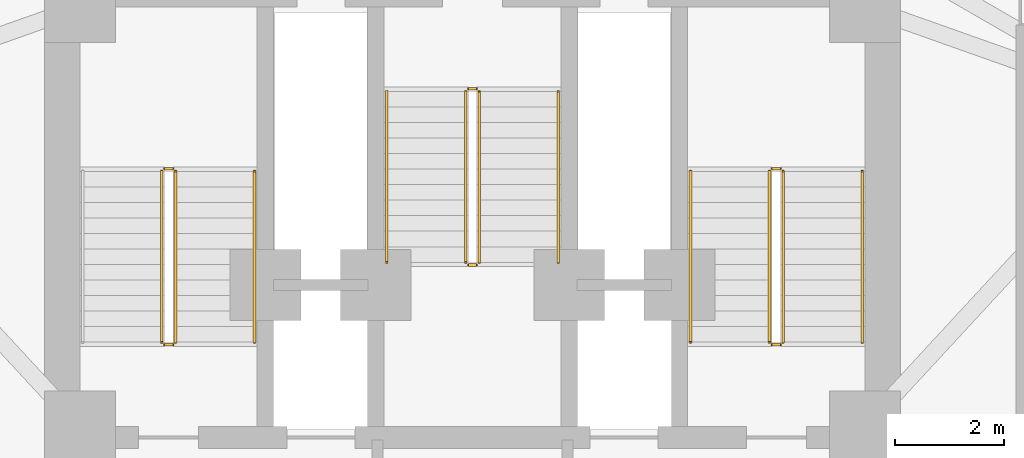
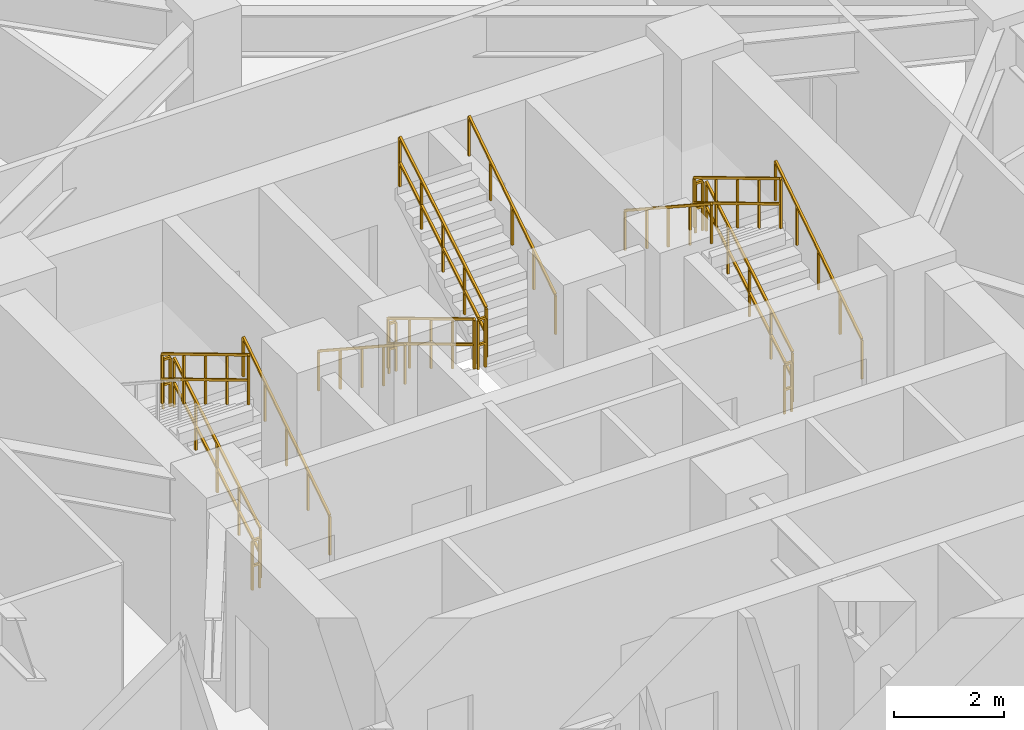
# One storey, part 10 of 11: 17 railings.
"""IFC4 building model written with IfcOpenShell, lengths in metres."""

from ifc_helpers import new_model, si_unit, direction, frame, origin, origin_2d, place, context, subcontext, project, spatial, rectangle, extrude, material, type_object, element, save


model = new_model("IFC4")

# Units and contexts
model_context = context("Model", 3, precision=1e-05, world=origin(), true_north=direction((0.0, 1.0)))
body_context = subcontext(model_context, "Body", "Model", "MODEL_VIEW")
ifc_project = project(units=[si_unit("LENGTHUNIT", "METRE"), si_unit("AREAUNIT", "SQUARE_METRE"), si_unit("VOLUMEUNIT", "CUBIC_METRE"), si_unit("PLANEANGLEUNIT", "RADIAN"), si_unit("MASSUNIT", "GRAM", prefix="KILO")], contexts=[model_context])

# Site, building, storey
site_placement = place(None, origin())
site = spatial("IfcSite", under=ifc_project, at=site_placement, CompositionType="ELEMENT")
building_placement = place(site_placement, origin())
building = spatial("IfcBuilding", under=site, at=building_placement, Name="Apsidion Concourse Tower", CompositionType="ELEMENT")
storey_placement = place(building_placement, frame((0.0, 0.0, 140.39990234375)))
storey = spatial("IfcBuildingStorey", under=building, at=storey_placement, Name="L32", CompositionType="ELEMENT", Elevation=140.39990234375)

# Railings
ifc_material = material(Name="Brushed stainless steel 316", Category="steel")
railing_type_1 = type_object("IfcRailingType", Name="RL-GUARD-1100", PredefinedType="GUARDRAIL", material=ifc_material)
railing_1_placement = place(storey_placement, frame((-5.449951171875, 3.0, 0.1708984375)))
element("IfcRailing", 1, at=railing_1_placement, inside=storey, type_object=railing_type_1, Name="L32 ST1 stair guard 1", PredefinedType="GUARDRAIL", context=body_context, shape_type="SweptSolid", body=[
    extrude(rectangle(XDim=0.048095703125, YDim=0.048095703125, at=origin_2d()), frame((0.0, 0.0, 1.09619140625), z_axis=(0.0, 0.857716804754, 0.514122439544), x_axis=(-1.0, 0.0, 0.0)), (0.0, 0.0, 1.0), 3.655029296875),
    extrude(rectangle(XDim=0.048095703125, YDim=0.048095703125, at=origin_2d()), frame((0.0, 0.0, 0.5361328125), z_axis=(0.0, 0.857716804754, 0.514122439544), x_axis=(-1.0, 0.0, 0.0)), (0.0, 0.0, 1.0), 3.655029296875),
    extrude(rectangle(XDim=0.0419921875, YDim=0.0419921875, at=origin_2d()), origin(), (0.0, 0.0, 1.0), 1.072021484375),
    extrude(rectangle(XDim=0.0419921875, YDim=0.0419921875, at=origin_2d()), frame((0.0, 0.78369140625, 0.4697265625)), (0.0, 0.0, 1.0), 1.072021484375),
    extrude(rectangle(XDim=0.0419921875, YDim=0.0419921875, at=origin_2d()), frame((0.0, 1.5673828125, 0.939453125)), (0.0, 0.0, 1.0), 1.072021484375),
    extrude(rectangle(XDim=0.0419921875, YDim=0.0419921875, at=origin_2d()), frame((0.0, 2.351318359375, 1.409423828125)), (0.0, 0.0, 1.0), 1.072021484375),
    extrude(rectangle(XDim=0.0419921875, YDim=0.0419921875, at=origin_2d()), frame((0.0, 3.135009765625, 1.879150390625)), (0.0, 0.0, 1.0), 1.072021484375),
])
railing_2_placement = place(storey_placement, frame((-5.5, 6.18505859375, 2.050048828125)))
element("IfcRailing", 2, at=railing_2_placement, inside=storey, type_object=railing_type_1, Name="L32 ST1 stair guard 2", PredefinedType="GUARDRAIL", context=body_context, shape_type="SweptSolid", body=[
    extrude(rectangle(XDim=0.048095703125, YDim=0.048095703125, at=origin_2d()), frame((0.0, 0.0, 1.09619140625), z_axis=(-1.0, 0.0, 0.0), x_axis=(0.0, -1.0, 0.0)), (0.0, 0.0, 1.0), 0.14990234375),
    extrude(rectangle(XDim=0.048095703125, YDim=0.048095703125, at=origin_2d()), frame((0.0, 0.0, 0.5361328125), z_axis=(-1.0, 0.0, 0.0), x_axis=(0.0, -1.0, 0.0)), (0.0, 0.0, 1.0), 0.14990234375),
    extrude(rectangle(XDim=0.0419921875, YDim=0.0419921875, at=origin_2d()), origin(), (0.0, 0.0, 1.0), 1.072021484375),
    extrude(rectangle(XDim=0.0419921875, YDim=0.0419921875, at=origin_2d()), frame((-0.14990234375, 0.0, 0.0)), (0.0, 0.0, 1.0), 1.072021484375),
])
railing_3_placement = place(storey_placement, frame((-5.699951171875, 6.135009765625, 2.220947265625)))
element("IfcRailing", 3, at=railing_3_placement, inside=storey, type_object=railing_type_1, Name="L32 ST1 stair guard 3", PredefinedType="GUARDRAIL", context=body_context, shape_type="SweptSolid", body=[
    extrude(rectangle(XDim=0.048095703125, YDim=0.048095703125, at=origin_2d()), frame((0.0, 0.0, 1.09619140625), z_axis=(0.0, -0.857716804754, 0.514122439544), x_axis=(1.0, 0.0, 0.0)), (0.0, 0.0, 1.0), 3.655029296875),
    extrude(rectangle(XDim=0.048095703125, YDim=0.048095703125, at=origin_2d()), frame((0.0, 0.0, 0.5361328125), z_axis=(0.0, -0.857716804754, 0.514122439544), x_axis=(1.0, 0.0, 0.0)), (0.0, 0.0, 1.0), 3.655029296875),
    extrude(rectangle(XDim=0.0419921875, YDim=0.0419921875, at=origin_2d()), origin(), (0.0, 0.0, 1.0), 1.072021484375),
    extrude(rectangle(XDim=0.0419921875, YDim=0.0419921875, at=origin_2d()), frame((0.0, -0.78369140625, 0.4697265625)), (0.0, 0.0, 1.0), 1.072021484375),
    extrude(rectangle(XDim=0.0419921875, YDim=0.0419921875, at=origin_2d()), frame((0.0, -1.5673828125, 0.939453125)), (0.0, 0.0, 1.0), 1.072021484375),
    extrude(rectangle(XDim=0.0419921875, YDim=0.0419921875, at=origin_2d()), frame((0.0, -2.351318359375, 1.409423828125)), (0.0, 0.0, 1.0), 1.072021484375),
    extrude(rectangle(XDim=0.0419921875, YDim=0.0419921875, at=origin_2d()), frame((0.0, -3.135009765625, 1.879150390625)), (0.0, 0.0, 1.0), 1.072021484375),
])
railing_4_placement = place(storey_placement, frame((-5.5, 2.949951171875, 0.0)))
element("IfcRailing", 4, at=railing_4_placement, inside=storey, type_object=railing_type_1, Name="L32 ST1 stair guard 4", PredefinedType="GUARDRAIL", context=body_context, shape_type="SweptSolid", body=[
    extrude(rectangle(XDim=0.048095703125, YDim=0.048095703125, at=origin_2d()), frame((0.0, 0.0, 1.09619140625), z_axis=(-1.0, 0.0, 0.0), x_axis=(0.0, -1.0, 0.0)), (0.0, 0.0, 1.0), 0.14990234375),
    extrude(rectangle(XDim=0.048095703125, YDim=0.048095703125, at=origin_2d()), frame((0.0, 0.0, 0.5361328125), z_axis=(-1.0, 0.0, 0.0), x_axis=(0.0, -1.0, 0.0)), (0.0, 0.0, 1.0), 0.14990234375),
    extrude(rectangle(XDim=0.0419921875, YDim=0.0419921875, at=origin_2d()), origin(), (0.0, 0.0, 1.0), 1.072021484375),
    extrude(rectangle(XDim=0.0419921875, YDim=0.0419921875, at=origin_2d()), frame((-0.14990234375, 0.0, 0.0)), (0.0, 0.0, 1.0), 1.072021484375),
])
railing_5_placement = place(storey_placement, frame((5.699951171875, 3.0, 0.1708984375)))
element("IfcRailing", 5, at=railing_5_placement, inside=storey, type_object=railing_type_1, Name="L32 ST2 stair guard 1", PredefinedType="GUARDRAIL", context=body_context, shape_type="SweptSolid", body=[
    extrude(rectangle(XDim=0.048095703125, YDim=0.048095703125, at=origin_2d()), frame((0.0, 0.0, 1.09619140625), z_axis=(0.0, 0.857716804754, 0.514122439544), x_axis=(-1.0, 0.0, 0.0)), (0.0, 0.0, 1.0), 3.655029296875),
    extrude(rectangle(XDim=0.048095703125, YDim=0.048095703125, at=origin_2d()), frame((0.0, 0.0, 0.5361328125), z_axis=(0.0, 0.857716804754, 0.514122439544), x_axis=(-1.0, 0.0, 0.0)), (0.0, 0.0, 1.0), 3.655029296875),
    extrude(rectangle(XDim=0.0419921875, YDim=0.0419921875, at=origin_2d()), origin(), (0.0, 0.0, 1.0), 1.072021484375),
    extrude(rectangle(XDim=0.0419921875, YDim=0.0419921875, at=origin_2d()), frame((0.0, 0.78369140625, 0.4697265625)), (0.0, 0.0, 1.0), 1.072021484375),
    extrude(rectangle(XDim=0.0419921875, YDim=0.0419921875, at=origin_2d()), frame((0.0, 1.5673828125, 0.939453125)), (0.0, 0.0, 1.0), 1.072021484375),
    extrude(rectangle(XDim=0.0419921875, YDim=0.0419921875, at=origin_2d()), frame((0.0, 2.351318359375, 1.409423828125)), (0.0, 0.0, 1.0), 1.072021484375),
    extrude(rectangle(XDim=0.0419921875, YDim=0.0419921875, at=origin_2d()), frame((0.0, 3.135009765625, 1.879150390625)), (0.0, 0.0, 1.0), 1.072021484375),
])
railing_6_placement = place(storey_placement, frame((5.64990234375, 6.18505859375, 2.050048828125)))
element("IfcRailing", 6, at=railing_6_placement, inside=storey, type_object=railing_type_1, Name="L32 ST2 stair guard 2", PredefinedType="GUARDRAIL", context=body_context, shape_type="SweptSolid", body=[
    extrude(rectangle(XDim=0.048095703125, YDim=0.048095703125, at=origin_2d()), frame((0.0, 0.0, 1.09619140625), z_axis=(-1.0, 0.0, 0.0), x_axis=(0.0, -1.0, 0.0)), (0.0, 0.0, 1.0), 0.14990234375),
    extrude(rectangle(XDim=0.048095703125, YDim=0.048095703125, at=origin_2d()), frame((0.0, 0.0, 0.5361328125), z_axis=(-1.0, 0.0, 0.0), x_axis=(0.0, -1.0, 0.0)), (0.0, 0.0, 1.0), 0.14990234375),
    extrude(rectangle(XDim=0.0419921875, YDim=0.0419921875, at=origin_2d()), origin(), (0.0, 0.0, 1.0), 1.072021484375),
    extrude(rectangle(XDim=0.0419921875, YDim=0.0419921875, at=origin_2d()), frame((-0.14990234375, 0.0, 0.0)), (0.0, 0.0, 1.0), 1.072021484375),
])
railing_7_placement = place(storey_placement, frame((5.449951171875, 6.135009765625, 2.220947265625)))
element("IfcRailing", 7, at=railing_7_placement, inside=storey, type_object=railing_type_1, Name="L32 ST2 stair guard 3", PredefinedType="GUARDRAIL", context=body_context, shape_type="SweptSolid", body=[
    extrude(rectangle(XDim=0.048095703125, YDim=0.048095703125, at=origin_2d()), frame((0.0, 0.0, 1.09619140625), z_axis=(0.0, -0.857716804754, 0.514122439544), x_axis=(1.0, 0.0, 0.0)), (0.0, 0.0, 1.0), 3.655029296875),
    extrude(rectangle(XDim=0.048095703125, YDim=0.048095703125, at=origin_2d()), frame((0.0, 0.0, 0.5361328125), z_axis=(0.0, -0.857716804754, 0.514122439544), x_axis=(1.0, 0.0, 0.0)), (0.0, 0.0, 1.0), 3.655029296875),
    extrude(rectangle(XDim=0.0419921875, YDim=0.0419921875, at=origin_2d()), origin(), (0.0, 0.0, 1.0), 1.072021484375),
    extrude(rectangle(XDim=0.0419921875, YDim=0.0419921875, at=origin_2d()), frame((0.0, -0.78369140625, 0.4697265625)), (0.0, 0.0, 1.0), 1.072021484375),
    extrude(rectangle(XDim=0.0419921875, YDim=0.0419921875, at=origin_2d()), frame((0.0, -1.5673828125, 0.939453125)), (0.0, 0.0, 1.0), 1.072021484375),
    extrude(rectangle(XDim=0.0419921875, YDim=0.0419921875, at=origin_2d()), frame((0.0, -2.351318359375, 1.409423828125)), (0.0, 0.0, 1.0), 1.072021484375),
    extrude(rectangle(XDim=0.0419921875, YDim=0.0419921875, at=origin_2d()), frame((0.0, -3.135009765625, 1.879150390625)), (0.0, 0.0, 1.0), 1.072021484375),
])
railing_8_placement = place(storey_placement, frame((5.64990234375, 2.949951171875, 0.0)))
element("IfcRailing", 8, at=railing_8_placement, inside=storey, type_object=railing_type_1, Name="L32 ST2 stair guard 4", PredefinedType="GUARDRAIL", context=body_context, shape_type="SweptSolid", body=[
    extrude(rectangle(XDim=0.048095703125, YDim=0.048095703125, at=origin_2d()), frame((0.0, 0.0, 1.09619140625), z_axis=(-1.0, 0.0, 0.0), x_axis=(0.0, -1.0, 0.0)), (0.0, 0.0, 1.0), 0.14990234375),
    extrude(rectangle(XDim=0.048095703125, YDim=0.048095703125, at=origin_2d()), frame((0.0, 0.0, 0.5361328125), z_axis=(-1.0, 0.0, 0.0), x_axis=(0.0, -1.0, 0.0)), (0.0, 0.0, 1.0), 0.14990234375),
    extrude(rectangle(XDim=0.0419921875, YDim=0.0419921875, at=origin_2d()), origin(), (0.0, 0.0, 1.0), 1.072021484375),
    extrude(rectangle(XDim=0.0419921875, YDim=0.0419921875, at=origin_2d()), frame((-0.14990234375, 0.0, 0.0)), (0.0, 0.0, 1.0), 1.072021484375),
])
railing_9_placement = place(storey_placement, frame((-0.125, 7.60009765625, 0.1708984375)))
element("IfcRailing", 9, at=railing_9_placement, inside=storey, type_object=railing_type_1, Name="L32 ST3 stair guard 1", PredefinedType="GUARDRAIL", context=body_context, shape_type="SweptSolid", body=[
    extrude(rectangle(XDim=0.048095703125, YDim=0.048095703125, at=origin_2d()), frame((0.0, 0.0, 1.09619140625), z_axis=(0.0, -0.857716804754, 0.514122439544), x_axis=(1.0, 0.0, 0.0)), (0.0, 0.0, 1.0), 3.655029296875),
    extrude(rectangle(XDim=0.048095703125, YDim=0.048095703125, at=origin_2d()), frame((0.0, 0.0, 0.5361328125), z_axis=(0.0, -0.857716804754, 0.514122439544), x_axis=(1.0, 0.0, 0.0)), (0.0, 0.0, 1.0), 3.655029296875),
    extrude(rectangle(XDim=0.0419921875, YDim=0.0419921875, at=origin_2d()), origin(), (0.0, 0.0, 1.0), 1.072021484375),
    extrude(rectangle(XDim=0.0419921875, YDim=0.0419921875, at=origin_2d()), frame((0.0, -0.78369140625, 0.4697265625)), (0.0, 0.0, 1.0), 1.072021484375),
    extrude(rectangle(XDim=0.0419921875, YDim=0.0419921875, at=origin_2d()), frame((0.0, -1.5673828125, 0.939453125)), (0.0, 0.0, 1.0), 1.072021484375),
    extrude(rectangle(XDim=0.0419921875, YDim=0.0419921875, at=origin_2d()), frame((0.0, -2.351318359375, 1.409423828125)), (0.0, 0.0, 1.0), 1.072021484375),
    extrude(rectangle(XDim=0.0419921875, YDim=0.0419921875, at=origin_2d()), frame((0.0, -3.135009765625, 1.879150390625)), (0.0, 0.0, 1.0), 1.072021484375),
])
railing_10_placement = place(storey_placement, frame((-0.074951171875, 4.4150390625, 2.050048828125)))
element("IfcRailing", 10, at=railing_10_placement, inside=storey, type_object=railing_type_1, Name="L32 ST3 stair guard 2", PredefinedType="GUARDRAIL", context=body_context, shape_type="SweptSolid", body=[
    extrude(rectangle(XDim=0.048095703125, YDim=0.048095703125, at=origin_2d()), frame((0.0, 0.0, 1.09619140625), z_axis=(1.0, 0.0, 0.0), x_axis=(0.0, 1.0, 0.0)), (0.0, 0.0, 1.0), 0.14990234375),
    extrude(rectangle(XDim=0.048095703125, YDim=0.048095703125, at=origin_2d()), frame((0.0, 0.0, 0.5361328125), z_axis=(1.0, 0.0, 0.0), x_axis=(0.0, 1.0, 0.0)), (0.0, 0.0, 1.0), 0.14990234375),
    extrude(rectangle(XDim=0.0419921875, YDim=0.0419921875, at=origin_2d()), origin(), (0.0, 0.0, 1.0), 1.072021484375),
    extrude(rectangle(XDim=0.0419921875, YDim=0.0419921875, at=origin_2d()), frame((0.14990234375, 0.0, 0.0)), (0.0, 0.0, 1.0), 1.072021484375),
])
railing_11_placement = place(storey_placement, frame((0.125, 4.465087890625, 2.220947265625)))
element("IfcRailing", 11, at=railing_11_placement, inside=storey, type_object=railing_type_1, Name="L32 ST3 stair guard 3", PredefinedType="GUARDRAIL", context=body_context, shape_type="SweptSolid", body=[
    extrude(rectangle(XDim=0.048095703125, YDim=0.048095703125, at=origin_2d()), frame((0.0, 0.0, 1.09619140625), z_axis=(0.0, 0.857716804754, 0.514122439544), x_axis=(-1.0, 0.0, 0.0)), (0.0, 0.0, 1.0), 3.655029296875),
    extrude(rectangle(XDim=0.048095703125, YDim=0.048095703125, at=origin_2d()), frame((0.0, 0.0, 0.5361328125), z_axis=(0.0, 0.857716804754, 0.514122439544), x_axis=(-1.0, 0.0, 0.0)), (0.0, 0.0, 1.0), 3.655029296875),
    extrude(rectangle(XDim=0.0419921875, YDim=0.0419921875, at=origin_2d()), origin(), (0.0, 0.0, 1.0), 1.072021484375),
    extrude(rectangle(XDim=0.0419921875, YDim=0.0419921875, at=origin_2d()), frame((0.0, 0.78369140625, 0.4697265625)), (0.0, 0.0, 1.0), 1.072021484375),
    extrude(rectangle(XDim=0.0419921875, YDim=0.0419921875, at=origin_2d()), frame((0.0, 1.5673828125, 0.939453125)), (0.0, 0.0, 1.0), 1.072021484375),
    extrude(rectangle(XDim=0.0419921875, YDim=0.0419921875, at=origin_2d()), frame((0.0, 2.351318359375, 1.409423828125)), (0.0, 0.0, 1.0), 1.072021484375),
    extrude(rectangle(XDim=0.0419921875, YDim=0.0419921875, at=origin_2d()), frame((0.0, 3.135009765625, 1.879150390625)), (0.0, 0.0, 1.0), 1.072021484375),
])
railing_12_placement = place(storey_placement, frame((-0.074951171875, 7.64990234375, 0.0)))
element("IfcRailing", 12, at=railing_12_placement, inside=storey, type_object=railing_type_1, Name="L32 ST3 stair guard 4", PredefinedType="GUARDRAIL", context=body_context, shape_type="SweptSolid", body=[
    extrude(rectangle(XDim=0.048095703125, YDim=0.048095703125, at=origin_2d()), frame((0.0, 0.0, 1.09619140625), z_axis=(1.0, 0.0, 0.0), x_axis=(0.0, 1.0, 0.0)), (0.0, 0.0, 1.0), 0.14990234375),
    extrude(rectangle(XDim=0.048095703125, YDim=0.048095703125, at=origin_2d()), frame((0.0, 0.0, 0.5361328125), z_axis=(1.0, 0.0, 0.0), x_axis=(0.0, 1.0, 0.0)), (0.0, 0.0, 1.0), 0.14990234375),
    extrude(rectangle(XDim=0.0419921875, YDim=0.0419921875, at=origin_2d()), origin(), (0.0, 0.0, 1.0), 1.072021484375),
    extrude(rectangle(XDim=0.0419921875, YDim=0.0419921875, at=origin_2d()), frame((0.14990234375, 0.0, 0.0)), (0.0, 0.0, 1.0), 1.072021484375),
])
railing_type_2 = type_object("IfcRailingType", Name="RL-HAND-900", PredefinedType="HANDRAIL", material=ifc_material)
for number, where, name in (
    (13, (-4.0, 3.0, 0.1708984375), "L32 ST1 stair handrail 1"),
    (14, (7.14990234375, 3.0, 0.1708984375), "L32 ST2 stair handrail 1"),
):
    element("IfcRailing", number, at=place(storey_placement, frame(where)), inside=storey, type_object=railing_type_2, Name=name, PredefinedType="HANDRAIL", context=body_context, shape_type="SweptSolid", body=[
        extrude(rectangle(XDim=0.048095703125, YDim=0.048095703125, at=origin_2d()), frame((0.0, 0.0, 0.8759765625), z_axis=(0.0, 0.836940907821, 0.547293263996), x_axis=(-1.0, 0.0, 0.0)), (0.0, 0.0, 1.0), 3.745849609375),
        extrude(rectangle(XDim=0.0419921875, YDim=0.0419921875, at=origin_2d()), origin(), (0.0, 0.0, 1.0), 0.851806640625),
        extrude(rectangle(XDim=0.0419921875, YDim=0.0419921875, at=origin_2d()), frame((0.0, 0.78369140625, 0.512451171875)), (0.0, 0.0, 1.0), 0.851806640625),
        extrude(rectangle(XDim=0.0419921875, YDim=0.0419921875, at=origin_2d()), frame((0.0, 1.5673828125, 1.02490234375)), (0.0, 0.0, 1.0), 0.851806640625),
        extrude(rectangle(XDim=0.0419921875, YDim=0.0419921875, at=origin_2d()), frame((0.0, 2.351318359375, 1.53759765625)), (0.0, 0.0, 1.0), 0.851806640625),
        extrude(rectangle(XDim=0.0419921875, YDim=0.0419921875, at=origin_2d()), frame((0.0, 3.135009765625, 2.050048828125)), (0.0, 0.0, 1.0), 0.851806640625),
    ])
for number, where, name in (
    (15, (4.0, 6.135009765625, 2.220947265625), "L32 ST2 stair handrail 2"),
    (16, (-1.574951171875, 7.60009765625, 0.1708984375), "L32 ST3 stair handrail 1"),
):
    element("IfcRailing", number, at=place(storey_placement, frame(where)), inside=storey, type_object=railing_type_2, Name=name, PredefinedType="HANDRAIL", context=body_context, shape_type="SweptSolid", body=[
        extrude(rectangle(XDim=0.048095703125, YDim=0.048095703125, at=origin_2d()), frame((0.0, 0.0, 0.8759765625), z_axis=(0.0, -0.836940907821, 0.547293263996), x_axis=(1.0, 0.0, 0.0)), (0.0, 0.0, 1.0), 3.745849609375),
        extrude(rectangle(XDim=0.0419921875, YDim=0.0419921875, at=origin_2d()), origin(), (0.0, 0.0, 1.0), 0.851806640625),
        extrude(rectangle(XDim=0.0419921875, YDim=0.0419921875, at=origin_2d()), frame((0.0, -0.78369140625, 0.512451171875)), (0.0, 0.0, 1.0), 0.851806640625),
        extrude(rectangle(XDim=0.0419921875, YDim=0.0419921875, at=origin_2d()), frame((0.0, -1.5673828125, 1.02490234375)), (0.0, 0.0, 1.0), 0.851806640625),
        extrude(rectangle(XDim=0.0419921875, YDim=0.0419921875, at=origin_2d()), frame((0.0, -2.351318359375, 1.53759765625)), (0.0, 0.0, 1.0), 0.851806640625),
        extrude(rectangle(XDim=0.0419921875, YDim=0.0419921875, at=origin_2d()), frame((0.0, -3.135009765625, 2.050048828125)), (0.0, 0.0, 1.0), 0.851806640625),
    ])
railing_13_placement = place(storey_placement, frame((1.574951171875, 4.465087890625, 2.220947265625)))
element("IfcRailing", 17, at=railing_13_placement, inside=storey, type_object=railing_type_2, Name="L32 ST3 stair handrail 2", PredefinedType="HANDRAIL", context=body_context, shape_type="SweptSolid", body=[
    extrude(rectangle(XDim=0.048095703125, YDim=0.048095703125, at=origin_2d()), frame((0.0, 0.0, 0.8759765625), z_axis=(0.0, 0.836940907821, 0.547293263996), x_axis=(-1.0, 0.0, 0.0)), (0.0, 0.0, 1.0), 3.745849609375),
    extrude(rectangle(XDim=0.0419921875, YDim=0.0419921875, at=origin_2d()), origin(), (0.0, 0.0, 1.0), 0.851806640625),
    extrude(rectangle(XDim=0.0419921875, YDim=0.0419921875, at=origin_2d()), frame((0.0, 0.78369140625, 0.512451171875)), (0.0, 0.0, 1.0), 0.851806640625),
    extrude(rectangle(XDim=0.0419921875, YDim=0.0419921875, at=origin_2d()), frame((0.0, 1.5673828125, 1.02490234375)), (0.0, 0.0, 1.0), 0.851806640625),
    extrude(rectangle(XDim=0.0419921875, YDim=0.0419921875, at=origin_2d()), frame((0.0, 2.351318359375, 1.53759765625)), (0.0, 0.0, 1.0), 0.851806640625),
    extrude(rectangle(XDim=0.0419921875, YDim=0.0419921875, at=origin_2d()), frame((0.0, 3.135009765625, 2.050048828125)), (0.0, 0.0, 1.0), 0.851806640625),
])

save(model, "model.ifc")
